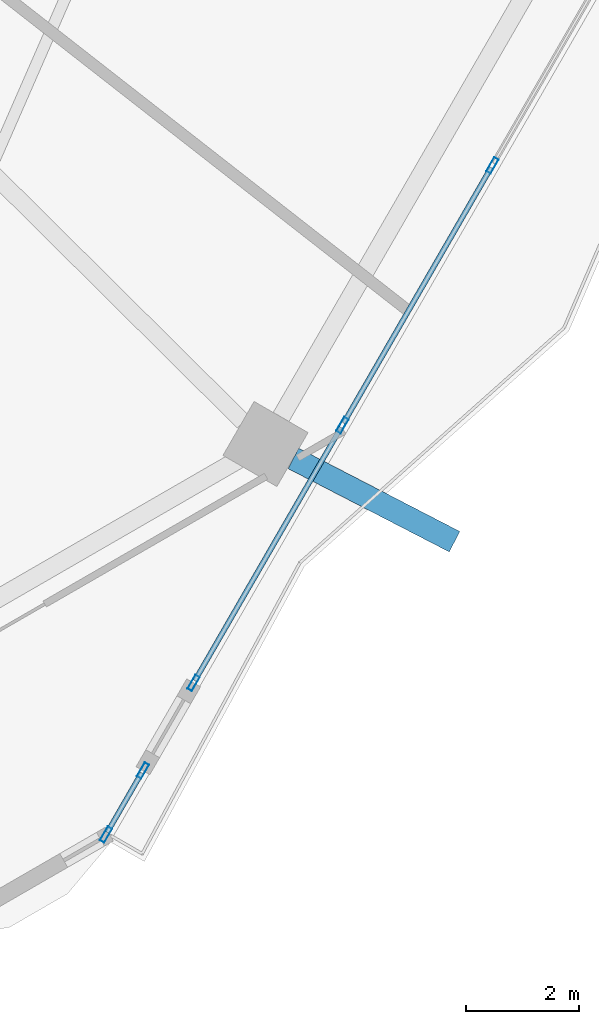
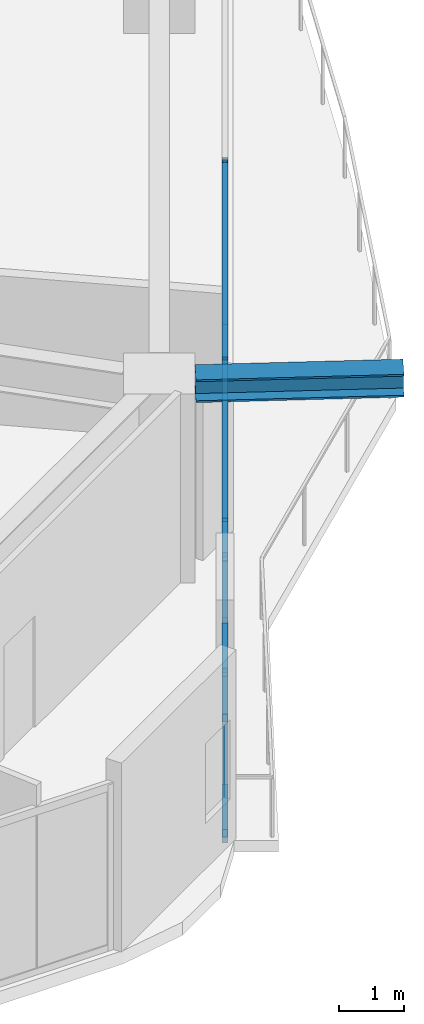
# One storey, part 9 of 33: 11 members, 1 beam, 2 elements without a shape of their own.
"""IFC4 building model written with IfcOpenShell, lengths in metres."""

from ifc_helpers import new_model, si_unit, direction, frame, origin, origin_2d, place, context, subcontext, project, spatial, hollow_rectangle, i_section, extrude, material, material_profile, profile_set, type_object, element, aggregate, save


model = new_model("IFC4")

# Units and contexts
model_context = context("Model", 3, precision=1e-05, world=origin(), true_north=direction((0.0, 1.0)))
body_context = subcontext(model_context, "Body", "Model", "MODEL_VIEW")
ifc_project = project(units=[si_unit("LENGTHUNIT", "METRE"), si_unit("AREAUNIT", "SQUARE_METRE"), si_unit("VOLUMEUNIT", "CUBIC_METRE"), si_unit("PLANEANGLEUNIT", "RADIAN"), si_unit("MASSUNIT", "GRAM", prefix="KILO")], contexts=[model_context])

# Site, building, storey
site_placement = place(None, origin())
site = spatial("IfcSite", under=ifc_project, at=site_placement, CompositionType="ELEMENT")
building_placement = place(site_placement, origin())
building = spatial("IfcBuilding", under=site, at=building_placement, Name="Zuhravey Tower", CompositionType="ELEMENT")
storey_placement = place(building_placement, frame((0.0, 0.0, 96.199951171875)))
storey = spatial("IfcBuildingStorey", under=building, at=storey_placement, Name="L23", CompositionType="ELEMENT", Elevation=96.199951171875)

# Curtain wall, members
ifc_material_1 = material(Name="Thermally broken anodised aluminium", Category="aluminium")
curtain_wall_type = type_object("IfcCurtainWallType", Name="Zone 1-2 Residential Curtain Wall CW3", PredefinedType="NOTDEFINED", material=ifc_material_1)
curtain_wall_1_placement = place(storey_placement, origin())
curtain_wall_1 = element("IfcCurtainWall", 1, at=curtain_wall_1_placement, inside=storey, type_object=curtain_wall_type, Name="L23 CW3 CW-L23-F6-1", PredefinedType="NOTDEFINED")
ifc_material_2 = material(Name="Anodised aluminium", Category="aluminium")
ifc_material_profile_1 = material_profile(ifc_material_2, hollow_rectangle(XDim=0.090087890625, YDim=0.284912109375, WallThickness=0.0048828125, at=origin_2d()), Name="ALU-RHS-90x285x5")
ifc_profile_set_1 = profile_set([ifc_material_profile_1], Name="Anodised aluminium")
member_type_1 = type_object("IfcMemberType", Name="Curtain-Wall Mullion 90x180", PredefinedType="MULLION", material=ifc_profile_set_1)
member_1_placement = place(storey_placement, frame((60.52734375, 16.5654296875, 0.0), z_axis=(0.0, 0.0, 1.0), x_axis=(0.866025304676, -0.500000171661, 0.0)))
member_1 = element("IfcMember", 2, at=member_1_placement, type_object=member_type_1, Name="CW3 mullion 4", PredefinedType="MULLION", context=body_context, shape_type="SweptSolid", body=[
    extrude(hollow_rectangle(XDim=0.090087890625, YDim=0.284912109375, WallThickness=0.0048828125, at=origin_2d()), origin(), (0.0, 0.0, 1.0), 3.1220703125),
])
member_2_placement = place(storey_placement, frame((57.876708984375, 11.974853515625, 0.0), z_axis=(0.0, 0.0, 1.0), x_axis=(0.866025304676, -0.500000171661, 0.0)))
member_2 = element("IfcMember", 3, at=member_2_placement, type_object=member_type_1, Name="CW3 mullion 5", PredefinedType="MULLION", context=body_context, shape_type="SweptSolid", body=[
    extrude(hollow_rectangle(XDim=0.090087890625, YDim=0.284912109375, WallThickness=0.0048828125, at=origin_2d()), origin(), (0.0, 0.0, 1.0), 3.1220703125),
])
member_3_placement = place(storey_placement, frame((55.248779296875, 7.423095703125, 0.0), z_axis=(0.0, 0.0, 1.0), x_axis=(0.866025304676, -0.500000171661, 0.0)))
member_3 = element("IfcMember", 4, at=member_3_placement, type_object=member_type_1, Name="CW3 mullion 6", PredefinedType="MULLION", context=body_context, shape_type="SweptSolid", body=[
    extrude(hollow_rectangle(XDim=0.090087890625, YDim=0.284912109375, WallThickness=0.0048828125, at=origin_2d()), origin(), (0.0, 0.0, 1.0), 3.1220703125),
])

curtain_wall_2_placement = place(storey_placement, origin())
curtain_wall_2 = element("IfcCurtainWall", 5, at=curtain_wall_2_placement, inside=storey, type_object=curtain_wall_type, Name="L23 CW3 CW-L23-F6-2", PredefinedType="NOTDEFINED")
member_4_placement = place(storey_placement, frame((54.35400390625, 5.873046875, 0.0), z_axis=(0.0, 0.0, 1.0), x_axis=(0.866019626224, -0.500010006894, 0.0)))
member_4 = element("IfcMember", 6, at=member_4_placement, type_object=member_type_1, Name="CW3 mullion 1", PredefinedType="MULLION", context=body_context, shape_type="SweptSolid", body=[
    extrude(hollow_rectangle(XDim=0.090087890625, YDim=0.284912109375, WallThickness=0.0048828125, at=origin_2d()), origin(), (0.0, 0.0, 1.0), 3.1220703125),
])
member_5_placement = place(storey_placement, frame((53.701416015625, 4.742919921875, 0.0), z_axis=(0.0, 0.0, 1.0), x_axis=(0.866019626224, -0.500010006894, 0.0)))
member_5 = element("IfcMember", 7, at=member_5_placement, type_object=member_type_1, Name="CW3 mullion 2", PredefinedType="MULLION", context=body_context, shape_type="SweptSolid", body=[
    extrude(hollow_rectangle(XDim=0.090087890625, YDim=0.284912109375, WallThickness=0.0048828125, at=origin_2d()), origin(), (0.0, 0.0, 1.0), 3.1220703125),
])

# Member
ifc_material_profile_2 = material_profile(ifc_material_2, hollow_rectangle(XDim=0.090087890625, YDim=0.14990234375, WallThickness=0.0048828125, at=origin_2d()), Name="ALU-RHS-90x150x5")
ifc_profile_set_2 = profile_set([ifc_material_profile_2], Name="Anodised aluminium")
member_type_2 = type_object("IfcMemberType", Name="Curtain-Wall Transom 90x150", PredefinedType="USERDEFINED", material=ifc_profile_set_2)
member_6_placement = place(storey_placement, frame((60.504638671875, 16.526611328125, 0.045166015625), z_axis=(-0.499973912587, -0.866040464835, 0.0), x_axis=(0.866040464835, -0.499973912587, 0.0)))
member_6 = element("IfcMember", 8, at=member_6_placement, type_object=member_type_2, Name="CW3 transom 4.1", ObjectType="TRANSOM", PredefinedType="USERDEFINED", context=body_context, shape_type="SweptSolid", body=[
    extrude(hollow_rectangle(XDim=0.090087890625, YDim=0.14990234375, WallThickness=0.0048828125, at=origin_2d()), origin(), (0.0, 0.0, 1.0), 5.210693359375),
])

member_7_placement = place(storey_placement, frame((60.504638671875, 16.526611328125, 3.0771484375), z_axis=(-0.499973912587, -0.866040464835, 0.0), x_axis=(0.866040464835, -0.499973912587, 0.0)))
member_7 = element("IfcMember", 9, at=member_7_placement, type_object=member_type_2, Name="CW3 transom 4.2", ObjectType="TRANSOM", PredefinedType="USERDEFINED", context=body_context, shape_type="SweptSolid", body=[
    extrude(hollow_rectangle(XDim=0.090087890625, YDim=0.14990234375, WallThickness=0.0048828125, at=origin_2d()), origin(), (0.0, 0.0, 1.0), 5.210693359375),
])

member_8_placement = place(storey_placement, frame((57.854248046875, 11.935791015625, 0.045166015625), z_axis=(-0.499987014674, -0.866032900736, 0.0), x_axis=(0.866032900736, -0.499987014674, 0.0)))
member_8 = element("IfcMember", 10, at=member_8_placement, type_object=member_type_2, Name="CW3 transom 5.1", ObjectType="TRANSOM", PredefinedType="USERDEFINED", context=body_context, shape_type="SweptSolid", body=[
    extrude(hollow_rectangle(XDim=0.090087890625, YDim=0.14990234375, WallThickness=0.0048828125, at=origin_2d()), origin(), (0.0, 0.0, 1.0), 5.165771484375),
])

member_9_placement = place(storey_placement, frame((57.854248046875, 11.935791015625, 3.0771484375), z_axis=(-0.499987014674, -0.866032900736, 0.0), x_axis=(0.866032900736, -0.499987014674, 0.0)))
member_9 = element("IfcMember", 11, at=member_9_placement, type_object=member_type_2, Name="CW3 transom 5.2", ObjectType="TRANSOM", PredefinedType="USERDEFINED", context=body_context, shape_type="SweptSolid", body=[
    extrude(hollow_rectangle(XDim=0.090087890625, YDim=0.14990234375, WallThickness=0.0048828125, at=origin_2d()), origin(), (0.0, 0.0, 1.0), 5.165771484375),
])

aggregate(curtain_wall_1, [member_1, member_2, member_3, member_6, member_7, member_8, member_9])

member_10_placement = place(storey_placement, frame((54.331298828125, 5.833984375, 0.045166015625), z_axis=(-0.499879048825, -0.866095223717, 0.0), x_axis=(0.866095223717, -0.499879048825, 0.0)))
member_10 = element("IfcMember", 12, at=member_10_placement, type_object=member_type_2, Name="CW3 transom 1.1", ObjectType="TRANSOM", PredefinedType="USERDEFINED", context=body_context, shape_type="SweptSolid", body=[
    extrude(hollow_rectangle(XDim=0.090087890625, YDim=0.14990234375, WallThickness=0.0048828125, at=origin_2d()), origin(), (0.0, 0.0, 1.0), 1.214599609375),
])

member_11_placement = place(storey_placement, frame((54.331298828125, 5.833984375, 3.0771484375), z_axis=(-0.499879048825, -0.866095223717, 0.0), x_axis=(0.866095223717, -0.499879048825, 0.0)))
member_11 = element("IfcMember", 13, at=member_11_placement, type_object=member_type_2, Name="CW3 transom 1.2", ObjectType="TRANSOM", PredefinedType="USERDEFINED", context=body_context, shape_type="SweptSolid", body=[
    extrude(hollow_rectangle(XDim=0.090087890625, YDim=0.14990234375, WallThickness=0.0048828125, at=origin_2d()), origin(), (0.0, 0.0, 1.0), 1.214599609375),
])

aggregate(curtain_wall_2, [member_4, member_5, member_10, member_11])

# Beam
ifc_material_3 = material(Name="Steel SM460", Category="steel")
ifc_material_profile_3 = material_profile(ifc_material_3, i_section(OverallWidth=0.406982421875, OverallDepth=0.427978515625, WebThickness=0.02001953125, FlangeThickness=0.034912109375, at=origin_2d()), Name="H-428x407x20x35")
ifc_profile_set_3 = profile_set([ifc_material_profile_3], Name="Steel SM460")
beam_type = type_object("IfcBeamType", Name="Exoskeleton Node Tie Beam H428x407", PredefinedType="BEAM", material=ifc_profile_set_3)
beam_placement = place(storey_placement, frame((57.01171875, 11.388427734375, 3.3359375), z_axis=(0.888437298009, -0.458998003816, 0.0), x_axis=(0.458998003816, 0.888437298009, 0.0)))
element("IfcBeam", 14, at=beam_placement, inside=storey, type_object=beam_type, Name="L23 Exoskeleton Node Tie NT1-11", PredefinedType="BEAM", context=body_context, shape_type="SweptSolid", body=[
    extrude(i_section(OverallWidth=0.406982421875, OverallDepth=0.427978515625, WebThickness=0.02001953125, FlangeThickness=0.034912109375, at=origin_2d()), origin(), (0.0, 0.0, 1.0), 3.20458984375),
])

save(model, "model.ifc")
